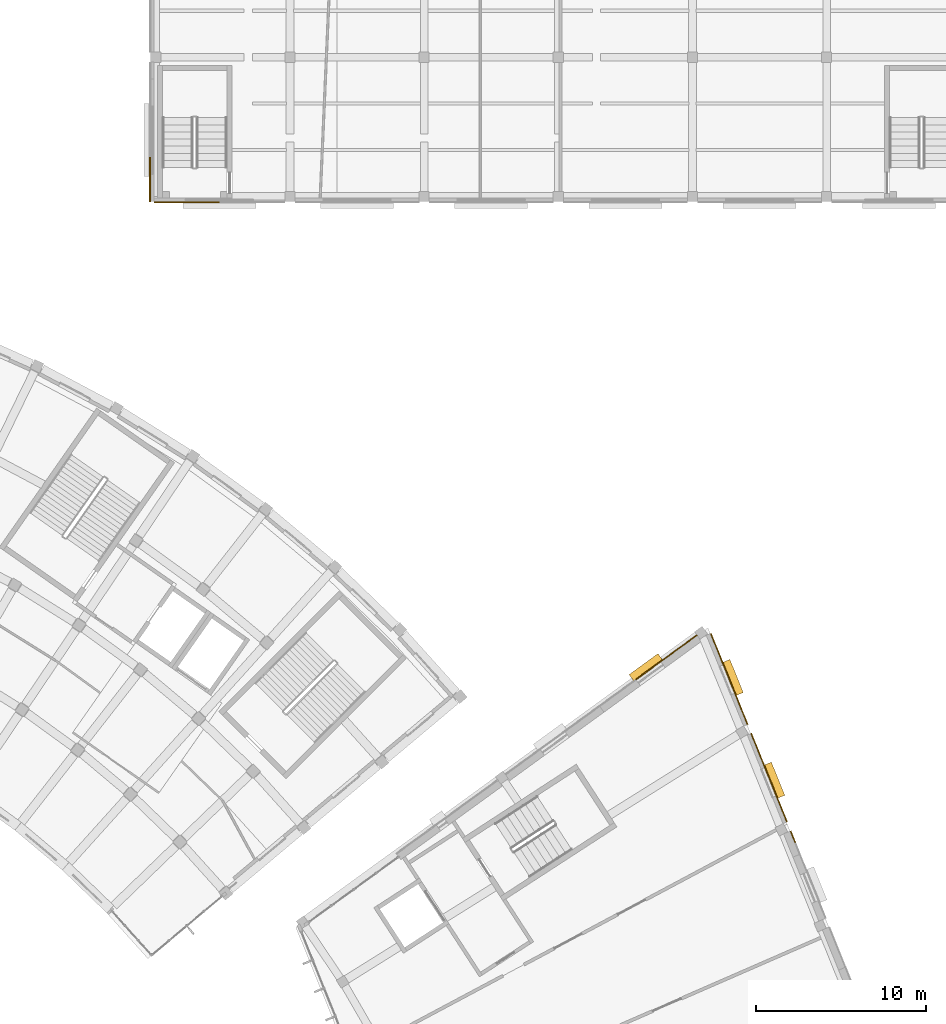
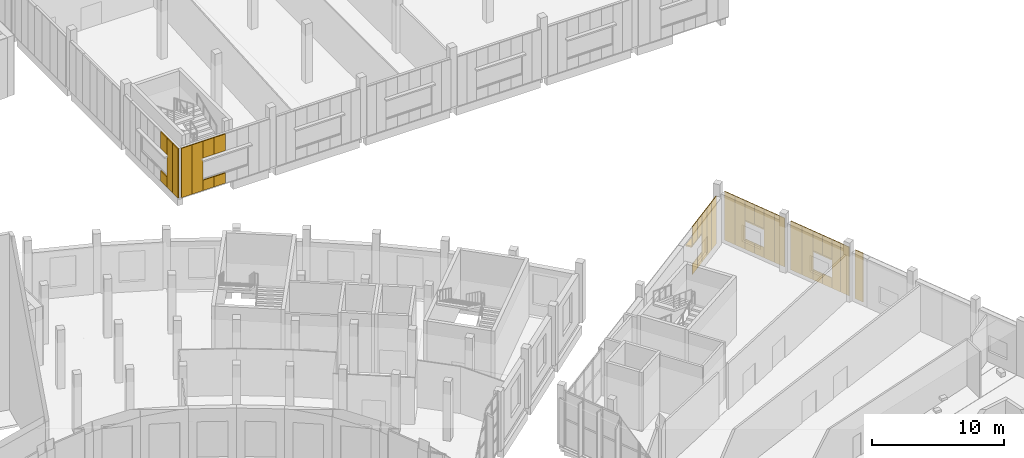
# One storey, part 81 of 87: 34 coverings, 3 shading devices.
"""IFC4 building model written with IfcOpenShell, lengths in metres."""

from ifc_helpers import new_model, si_unit, direction, frame, origin, origin_2d, place, context, subcontext, project, spatial, rectangle, extrude, material, layer, layer_set, type_object, element, save


model = new_model("IFC4")

# Units and contexts
model_context = context("Model", 3, precision=1e-05, world=origin(), true_north=direction((0.0, 1.0)))
body_context = subcontext(model_context, "Body", "Model", "MODEL_VIEW")
ifc_project = project(units=[si_unit("LENGTHUNIT", "METRE"), si_unit("AREAUNIT", "SQUARE_METRE"), si_unit("VOLUMEUNIT", "CUBIC_METRE"), si_unit("PLANEANGLEUNIT", "RADIAN"), si_unit("MASSUNIT", "GRAM", prefix="KILO")], contexts=[model_context])

# Site, building, storey
site_placement = place(None, origin())
site = spatial("IfcSite", under=ifc_project, at=site_placement, CompositionType="ELEMENT")
building_placement = place(site_placement, origin())
building = spatial("IfcBuilding", under=site, at=building_placement, Name="Lunette Opera House", CompositionType="ELEMENT")
storey_placement = place(building_placement, frame((0.0, 0.0, 11.5)))
storey = spatial("IfcBuildingStorey", under=building, at=storey_placement, Name="L02", CompositionType="ELEMENT", Elevation=11.5)

# Coverings
ifc_material_1 = material(Name="Dark grey aluminium cassette", Category="aluminium")
ifc_layer_1 = layer(ifc_material_1, 0.080078125)
ifc_layer_set_1 = layer_set([ifc_layer_1], Name="Dark grey aluminium cassette")
covering_type_1 = type_object("IfcCoveringType", Name="DARK METAL CASSETTE 80", PredefinedType="CLADDING", material=ifc_layer_set_1)
covering_1_placement = place(storey_placement, frame((135.9599609375, 80.113037109375, 0.0), z_axis=(0.0, 0.0, 1.0), x_axis=(0.0, -1.0, 0.0)))
element("IfcCovering", 1, at=covering_1_placement, inside=storey, type_object=covering_type_1, Name="Dark Metal Cassette 80 WK L02", PredefinedType="CLADDING", context=body_context, shape_type="SweptSolid", body=[
    extrude(rectangle(XDim=1.0, YDim=0.080078125, at=origin_2d()), origin(), (0.0, 0.0, 1.0), 0.949951171875),
])
covering_2_placement = place(storey_placement, frame((135.9599609375, 80.113037109375, 3.0), z_axis=(0.0, 0.0, 1.0), x_axis=(0.0, -1.0, 0.0)))
element("IfcCovering", 2, at=covering_2_placement, inside=storey, type_object=covering_type_1, Name="Dark Metal Cassette 80 WK L02", PredefinedType="CLADDING", context=body_context, shape_type="SweptSolid", body=[
    extrude(rectangle(XDim=1.0, YDim=0.080078125, at=origin_2d()), origin(), (0.0, 0.0, 1.0), 1.550048828125),
])
for number, where, z_axis, x_axis, name in (
    (3, (135.9599609375, 79.2099609375, 0.0), (0.0, 0.0, 1.0), (0.0, -1.0, 0.0), "Dark Metal Cassette 80 WK L02"),
    (4, (135.9599609375, 78.403076171875, 0.0), (0.0, 0.0, 1.0), (0.0, -1.0, 0.0), "Dark Metal Cassette 80 WK L02"),
):
    element("IfcCovering", number, at=place(storey_placement, frame(where, z_axis=z_axis, x_axis=x_axis)), inside=storey, type_object=covering_type_1, Name=name, PredefinedType="CLADDING", context=body_context, shape_type="SweptSolid", body=[
        extrude(rectangle(XDim=0.805908203125, YDim=0.080078125, at=origin_2d()), origin(), (0.0, 0.0, 1.0), 4.550048828125),
    ])
for number, where, z_axis, x_axis, name in (
    (5, (136.662109375, 77.9599609375, 0.0), (0.0, 0.0, 1.0), (1.0, 0.0, 0.0), "Dark Metal Cassette 80 WK L02"),
    (6, (137.5869140625, 77.9599609375, 0.0), (0.0, 0.0, 1.0), (1.0, 0.0, 0.0), "Dark Metal Cassette 80 WK L02"),
):
    element("IfcCovering", number, at=place(storey_placement, frame(where, z_axis=z_axis, x_axis=x_axis)), inside=storey, type_object=covering_type_1, Name=name, PredefinedType="CLADDING", context=body_context, shape_type="SweptSolid", body=[
        extrude(rectangle(XDim=0.925048828125, YDim=0.080078125, at=origin_2d()), origin(), (0.0, 0.0, 1.0), 4.550048828125),
    ])
covering_3_placement = place(storey_placement, frame((138.550048828125, 77.9599609375, 0.0), z_axis=(0.0, 0.0, 1.0), x_axis=(1.0, 0.0, 0.0)))
element("IfcCovering", 7, at=covering_3_placement, inside=storey, type_object=covering_type_1, Name="Dark Metal Cassette 80 WK L02", PredefinedType="CLADDING", context=body_context, shape_type="SweptSolid", body=[
    extrude(rectangle(XDim=1.0, YDim=0.080078125, at=origin_2d()), origin(), (0.0, 0.0, 1.0), 0.949951171875),
])
covering_4_placement = place(storey_placement, frame((138.550048828125, 77.9599609375, 3.0), z_axis=(0.0, 0.0, 1.0), x_axis=(1.0, 0.0, 0.0)))
element("IfcCovering", 8, at=covering_4_placement, inside=storey, type_object=covering_type_1, Name="Dark Metal Cassette 80 WK L02", PredefinedType="CLADDING", context=body_context, shape_type="SweptSolid", body=[
    extrude(rectangle(XDim=1.0, YDim=0.080078125, at=origin_2d()), origin(), (0.0, 0.0, 1.0), 1.550048828125),
])
covering_5_placement = place(storey_placement, frame((139.550048828125, 77.9599609375, 0.0), z_axis=(0.0, 0.0, 1.0), x_axis=(1.0, 0.0, 0.0)))
element("IfcCovering", 9, at=covering_5_placement, inside=storey, type_object=covering_type_1, Name="Dark Metal Cassette 80 WK L02", PredefinedType="CLADDING", context=body_context, shape_type="SweptSolid", body=[
    extrude(rectangle(XDim=1.0, YDim=0.080078125, at=origin_2d()), origin(), (0.0, 0.0, 1.0), 0.949951171875),
])
covering_6_placement = place(storey_placement, frame((139.550048828125, 77.9599609375, 3.0), z_axis=(0.0, 0.0, 1.0), x_axis=(1.0, 0.0, 0.0)))
element("IfcCovering", 10, at=covering_6_placement, inside=storey, type_object=covering_type_1, Name="Dark Metal Cassette 80 WK L02", PredefinedType="CLADDING", context=body_context, shape_type="SweptSolid", body=[
    extrude(rectangle(XDim=1.0, YDim=0.080078125, at=origin_2d()), origin(), (0.0, 0.0, 1.0), 1.550048828125),
])
ifc_material_2 = material(Name="Aluminium standing seam cladding", Category="aluminium")
ifc_layer_2 = layer(ifc_material_2, 0.06005859375)
ifc_layer_set_2 = layer_set([ifc_layer_2], Name="Aluminium standing seam cladding")
covering_type_2 = type_object("IfcCoveringType", Name="STANDING SEAM CLADDING 60", PredefinedType="CLADDING", material=ifc_layer_set_2)
covering_7_placement = place(storey_placement, frame((173.81689453125, 40.593994140625, 0.0), z_axis=(0.0, 0.0, 1.0), x_axis=(-0.374653521928, 0.927164892836, 0.0)))
element("IfcCovering", 11, at=covering_7_placement, inside=storey, type_object=covering_type_2, Name="Standing Seam Cladding 60 SZ L02", PredefinedType="CLADDING", context=body_context, shape_type="SweptSolid", body=[
    extrude(rectangle(XDim=0.739013671875, YDim=0.06005859375, at=origin_2d()), origin(), (0.0, 0.0, 1.0), 4.5),
])
for number, where, z_axis, x_axis, name in (
    (12, (173.306884765625, 41.85498046875, 0.0), (0.0, 0.0, 1.0), (-0.374671322147, 0.927157699833, 0.0), "Standing Seam Cladding 60 SZ L02"),
    (13, (172.9970703125, 42.6220703125, 0.0), (0.0, 0.0, 1.0), (-0.374671322147, 0.927157699833, 0.0), "Standing Seam Cladding 60 SZ L02"),
):
    element("IfcCovering", number, at=place(storey_placement, frame(where, z_axis=z_axis, x_axis=x_axis)), inside=storey, type_object=covering_type_2, Name=name, PredefinedType="CLADDING", context=body_context, shape_type="SweptSolid", body=[
        extrude(rectangle(XDim=0.827880859375, YDim=0.06005859375, at=origin_2d()), origin(), (0.0, 0.0, 1.0), 4.5),
    ])
covering_8_placement = place(storey_placement, frame((172.673095703125, 43.424072265625, 0.0), z_axis=(0.0, 0.0, 1.0), x_axis=(-0.374671322147, 0.927157699833, 0.0)))
element("IfcCovering", 14, at=covering_8_placement, inside=storey, type_object=covering_type_2, Name="Standing Seam Cladding 60 SZ L02", PredefinedType="CLADDING", context=body_context, shape_type="SweptSolid", body=[
    extrude(rectangle(XDim=0.89990234375, YDim=0.06005859375, at=origin_2d()), origin(), (0.0, 0.0, 1.0), 0.949951171875),
])
covering_9_placement = place(storey_placement, frame((172.673095703125, 43.424072265625, 2.7001953125), z_axis=(0.0, 0.0, 1.0), x_axis=(-0.374671322147, 0.927157699833, 0.0)))
element("IfcCovering", 15, at=covering_9_placement, inside=storey, type_object=covering_type_2, Name="Standing Seam Cladding 60 SZ L02", PredefinedType="CLADDING", context=body_context, shape_type="SweptSolid", body=[
    extrude(rectangle(XDim=0.89990234375, YDim=0.06005859375, at=origin_2d()), origin(), (0.0, 0.0, 1.0), 1.800048828125),
])
covering_10_placement = place(storey_placement, frame((172.3359375, 44.258056640625, 0.0), z_axis=(0.0, 0.0, 1.0), x_axis=(-0.374671322147, 0.927157699833, 0.0)))
element("IfcCovering", 16, at=covering_10_placement, inside=storey, type_object=covering_type_2, Name="Standing Seam Cladding 60 SZ L02", PredefinedType="CLADDING", context=body_context, shape_type="SweptSolid", body=[
    extrude(rectangle(XDim=0.89990234375, YDim=0.06005859375, at=origin_2d()), origin(), (0.0, 0.0, 1.0), 0.949951171875),
])
covering_11_placement = place(storey_placement, frame((172.3359375, 44.258056640625, 2.7001953125), z_axis=(0.0, 0.0, 1.0), x_axis=(-0.374671322147, 0.927157699833, 0.0)))
element("IfcCovering", 17, at=covering_11_placement, inside=storey, type_object=covering_type_2, Name="Standing Seam Cladding 60 SZ L02", PredefinedType="CLADDING", context=body_context, shape_type="SweptSolid", body=[
    extrude(rectangle(XDim=0.89990234375, YDim=0.06005859375, at=origin_2d()), origin(), (0.0, 0.0, 1.0), 1.800048828125),
])
for number, where, z_axis, x_axis, name in (
    (18, (171.965087890625, 45.176025390625, 0.0), (0.0, 0.0, 1.0), (-0.374671322147, 0.927157699833, 0.0), "Standing Seam Cladding 60 SZ L02"),
    (19, (171.56005859375, 46.178955078125, 0.0), (0.0, 0.0, 1.0), (-0.374671322147, 0.927157699833, 0.0), "Standing Seam Cladding 60 SZ L02"),
):
    element("IfcCovering", number, at=place(storey_placement, frame(where, z_axis=z_axis, x_axis=x_axis)), inside=storey, type_object=covering_type_2, Name=name, PredefinedType="CLADDING", context=body_context, shape_type="SweptSolid", body=[
        extrude(rectangle(XDim=1.0810546875, YDim=0.06005859375, at=origin_2d()), origin(), (0.0, 0.0, 1.0), 4.5),
    ])
for number, where, z_axis, x_axis, name in (
    (20, (170.95703125, 47.6708984375, 0.0), (0.0, 0.0, 1.0), (-0.374611448134, 0.927181893119, 0.0), "Standing Seam Cladding 60 SZ L02"),
    (21, (170.5849609375, 48.592041015625, 0.0), (0.0, 0.0, 1.0), (-0.374611448134, 0.927181893119, 0.0), "Standing Seam Cladding 60 SZ L02"),
):
    element("IfcCovering", number, at=place(storey_placement, frame(where, z_axis=z_axis, x_axis=x_axis)), inside=storey, type_object=covering_type_2, Name=name, PredefinedType="CLADDING", context=body_context, shape_type="SweptSolid", body=[
        extrude(rectangle(XDim=0.993896484375, YDim=0.06005859375, at=origin_2d()), origin(), (0.0, 0.0, 1.0), 4.5),
    ])
covering_12_placement = place(storey_placement, frame((170.22998046875, 49.469970703125, 0.0), z_axis=(0.0, 0.0, 1.0), x_axis=(-0.374611448134, 0.927181893119, 0.0)))
element("IfcCovering", 22, at=covering_12_placement, inside=storey, type_object=covering_type_2, Name="Standing Seam Cladding 60 SZ L02", PredefinedType="CLADDING", context=body_context, shape_type="SweptSolid", body=[
    extrude(rectangle(XDim=0.89990234375, YDim=0.06005859375, at=origin_2d()), origin(), (0.0, 0.0, 1.0), 0.949951171875),
])
covering_13_placement = place(storey_placement, frame((170.22998046875, 49.469970703125, 2.7001953125), z_axis=(0.0, 0.0, 1.0), x_axis=(-0.374611448134, 0.927181893119, 0.0)))
element("IfcCovering", 23, at=covering_13_placement, inside=storey, type_object=covering_type_2, Name="Standing Seam Cladding 60 SZ L02", PredefinedType="CLADDING", context=body_context, shape_type="SweptSolid", body=[
    extrude(rectangle(XDim=0.89990234375, YDim=0.06005859375, at=origin_2d()), origin(), (0.0, 0.0, 1.0), 1.800048828125),
])
covering_14_placement = place(storey_placement, frame((169.89306640625, 50.304931640625, 0.0), z_axis=(0.0, 0.0, 1.0), x_axis=(-0.374611448134, 0.927181893119, 0.0)))
element("IfcCovering", 24, at=covering_14_placement, inside=storey, type_object=covering_type_2, Name="Standing Seam Cladding 60 SZ L02", PredefinedType="CLADDING", context=body_context, shape_type="SweptSolid", body=[
    extrude(rectangle(XDim=0.89990234375, YDim=0.06005859375, at=origin_2d()), origin(), (0.0, 0.0, 1.0), 0.949951171875),
])
covering_15_placement = place(storey_placement, frame((169.89306640625, 50.304931640625, 2.7001953125), z_axis=(0.0, 0.0, 1.0), x_axis=(-0.374611448134, 0.927181893119, 0.0)))
element("IfcCovering", 25, at=covering_15_placement, inside=storey, type_object=covering_type_2, Name="Standing Seam Cladding 60 SZ L02", PredefinedType="CLADDING", context=body_context, shape_type="SweptSolid", body=[
    extrude(rectangle(XDim=0.89990234375, YDim=0.06005859375, at=origin_2d()), origin(), (0.0, 0.0, 1.0), 1.800048828125),
])
for number, where, z_axis, x_axis, name in (
    (26, (169.5380859375, 51.18310546875, 0.0), (0.0, 0.0, 1.0), (-0.374611448134, 0.927181893119, 0.0), "Standing Seam Cladding 60 SZ L02"),
    (27, (169.166015625, 52.10498046875, 0.0), (0.0, 0.0, 1.0), (-0.374611448134, 0.927181893119, 0.0), "Standing Seam Cladding 60 SZ L02"),
):
    element("IfcCovering", number, at=place(storey_placement, frame(where, z_axis=z_axis, x_axis=x_axis)), inside=storey, type_object=covering_type_2, Name=name, PredefinedType="CLADDING", context=body_context, shape_type="SweptSolid", body=[
        extrude(rectangle(XDim=0.993896484375, YDim=0.06005859375, at=origin_2d()), origin(), (0.0, 0.0, 1.0), 4.5),
    ])
for number, where, z_axis, x_axis, name in (
    (28, (167.81005859375, 52.2099609375, 0.0), (0.0, 0.0, 1.0), (-0.809040588935, -0.587752775795, 0.0), "Standing Seam Cladding 60 SZ L02"),
    (29, (167.095947265625, 51.69091796875, 0.0), (0.0, 0.0, 1.0), (-0.809040588935, -0.587752775795, 0.0), "Standing Seam Cladding 60 SZ L02"),
    (30, (166.382080078125, 51.172119140625, 0.0), (0.0, 0.0, 1.0), (-0.809040588935, -0.587752775795, 0.0), "Standing Seam Cladding 60 SZ L02"),
):
    element("IfcCovering", number, at=place(storey_placement, frame(where, z_axis=z_axis, x_axis=x_axis)), inside=storey, type_object=covering_type_2, Name=name, PredefinedType="CLADDING", context=body_context, shape_type="SweptSolid", body=[
        extrude(rectangle(XDim=0.883056640625, YDim=0.06005859375, at=origin_2d()), origin(), (0.0, 0.0, 1.0), 4.39990234375),
    ])
covering_16_placement = place(storey_placement, frame((165.660888671875, 50.64794921875, 0.0), z_axis=(0.0, 0.0, 1.0), x_axis=(-0.809040588935, -0.587752775795, 0.0)))
element("IfcCovering", 31, at=covering_16_placement, inside=storey, type_object=covering_type_2, Name="Standing Seam Cladding 60 SZ L02", PredefinedType="CLADDING", context=body_context, shape_type="SweptSolid", body=[
    extrude(rectangle(XDim=0.89990234375, YDim=0.06005859375, at=origin_2d()), origin(), (0.0, 0.0, 1.0), 0.949951171875),
])
covering_17_placement = place(storey_placement, frame((165.660888671875, 50.64794921875, 2.7001953125), z_axis=(0.0, 0.0, 1.0), x_axis=(-0.809040588935, -0.587752775795, 0.0)))
element("IfcCovering", 32, at=covering_17_placement, inside=storey, type_object=covering_type_2, Name="Standing Seam Cladding 60 SZ L02", PredefinedType="CLADDING", context=body_context, shape_type="SweptSolid", body=[
    extrude(rectangle(XDim=0.89990234375, YDim=0.06005859375, at=origin_2d()), origin(), (0.0, 0.0, 1.0), 1.699951171875),
])
covering_18_placement = place(storey_placement, frame((164.931884765625, 50.118896484375, 0.0), z_axis=(0.0, 0.0, 1.0), x_axis=(-0.809040588935, -0.587752775795, 0.0)))
element("IfcCovering", 33, at=covering_18_placement, inside=storey, type_object=covering_type_2, Name="Standing Seam Cladding 60 SZ L02", PredefinedType="CLADDING", context=body_context, shape_type="SweptSolid", body=[
    extrude(rectangle(XDim=0.89990234375, YDim=0.06005859375, at=origin_2d()), origin(), (0.0, 0.0, 1.0), 0.949951171875),
])
covering_19_placement = place(storey_placement, frame((164.931884765625, 50.118896484375, 2.7001953125), z_axis=(0.0, 0.0, 1.0), x_axis=(-0.809040588935, -0.587752775795, 0.0)))
element("IfcCovering", 34, at=covering_19_placement, inside=storey, type_object=covering_type_2, Name="Standing Seam Cladding 60 SZ L02", PredefinedType="CLADDING", context=body_context, shape_type="SweptSolid", body=[
    extrude(rectangle(XDim=0.89990234375, YDim=0.06005859375, at=origin_2d()), origin(), (0.0, 0.0, 1.0), 1.699951171875),
])

# Shading devices
ifc_material_3 = material(Name="Powder-coated aluminium", Category="aluminium")
ifc_layer_3 = layer(ifc_material_3, 0.1201171875)
ifc_layer_set_3 = layer_set([ifc_layer_3], Name="Powder-coated aluminium")
shading_device_type = type_object("IfcShadingDeviceType", Name="WINDOW HOOD 500 X 2100", PredefinedType="USERDEFINED", material=ifc_layer_set_3)
for number, where, z_axis, x_axis, name in (
    (35, (172.708984375, 43.923095703125, 2.579833984375), (0.0, 0.0, 1.0), (0.927157699833, 0.374671322147, 0.0), "Window hood SB-N2020"),
    (36, (170.26611328125, 49.969970703125, 2.579833984375), (0.0, 0.0, 1.0), (0.927181893119, 0.374611448134, 0.0), "Window hood SB-N2021"),
    (37, (165.1669921875, 50.56201171875, 2.579833984375), (0.0, 0.0, 1.0), (-0.587752775795, 0.809040588935, 0.0), "Window hood SB-N2022"),
):
    element("IfcShadingDevice", number, at=place(storey_placement, frame(where, z_axis=z_axis, x_axis=x_axis)), inside=storey, type_object=shading_device_type, Name=name, ObjectType="WINDOW HOOD", PredefinedType="USERDEFINED", context=body_context, shape_type="SweptSolid", body=[
        extrude(rectangle(XDim=0.5, YDim=2.10009765625, at=origin_2d()), origin(), (0.0, 0.0, 1.0), 0.1201171875),
    ])

save(model, "model.ifc")
